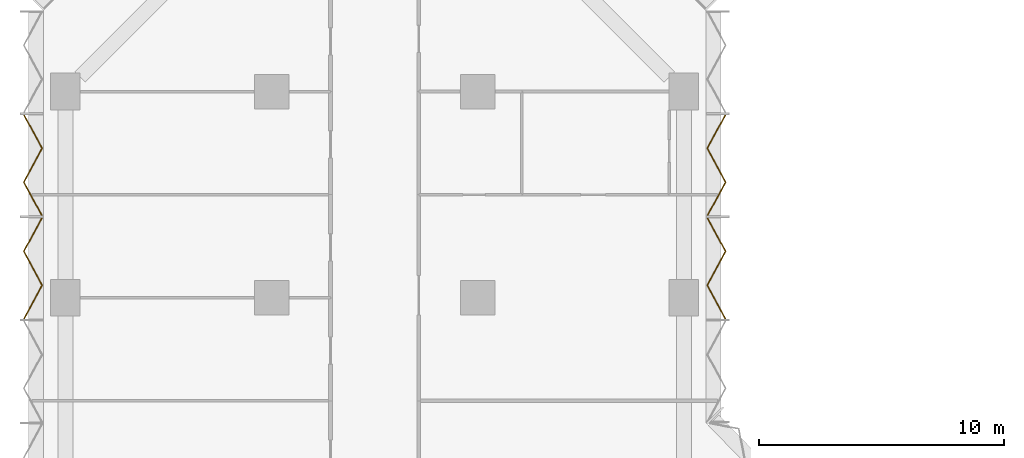
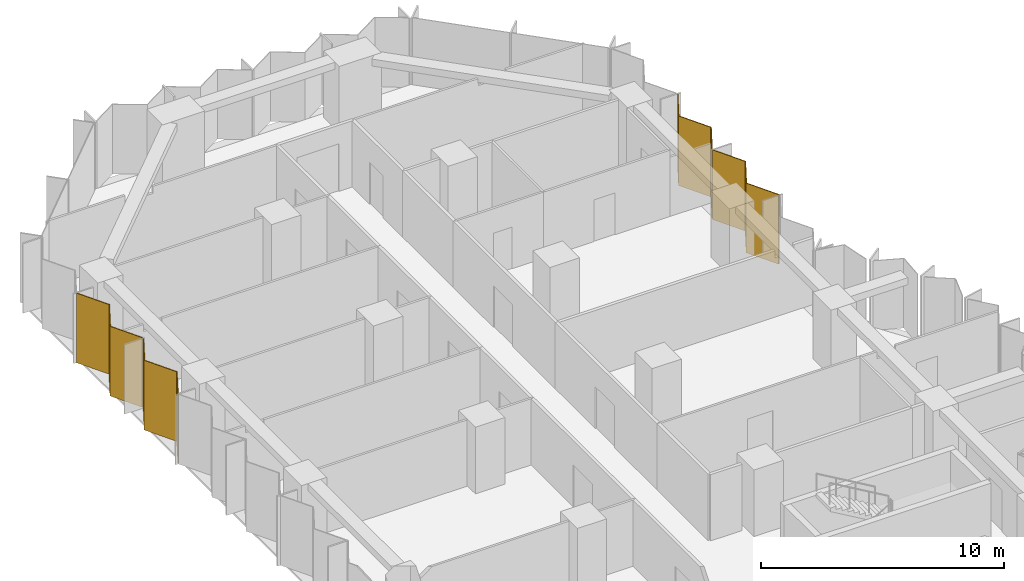
# One storey, part 15 of 15: 4 coverings, 2 elements without a shape of their own.
"""IFC4 building model written with IfcOpenShell, lengths in metres."""

from ifc_helpers import new_model, si_unit, direction, frame, origin, place, context, subcontext, project, spatial, polyline, outline, extrude, material, layer, layer_set, type_object, element, aggregate, save


model = new_model("IFC4")

# Units and contexts
model_context = context("Model", 3, precision=1e-05, world=origin(), true_north=direction((0.0, 1.0)))
body_context = subcontext(model_context, "Body", "Model", "MODEL_VIEW")
ifc_project = project(units=[si_unit("LENGTHUNIT", "METRE"), si_unit("AREAUNIT", "SQUARE_METRE"), si_unit("VOLUMEUNIT", "CUBIC_METRE"), si_unit("PLANEANGLEUNIT", "RADIAN"), si_unit("MASSUNIT", "GRAM", prefix="KILO")], contexts=[model_context])

# Site, building, storey
site_placement = place(None, origin())
site = spatial("IfcSite", under=ifc_project, at=site_placement, CompositionType="ELEMENT")
building_placement = place(site_placement, origin())
building = spatial("IfcBuilding", under=site, at=building_placement, Name="Brevane Broadcast Tower", CompositionType="ELEMENT")
storey_placement = place(building_placement, frame((0.0, 0.0, 68.89990234375)))
storey = spatial("IfcBuildingStorey", under=building, at=storey_placement, Name="L15", CompositionType="ELEMENT", Elevation=68.89990234375)

# Curtain wall, coverings
ifc_material_1 = material(Name="Aluminium 6063-T6 bronze anodised", Category="aluminium")
curtain_wall_type = type_object("IfcCurtainWallType", Name="CW-1 curtain wall", PredefinedType="NOTDEFINED", material=ifc_material_1)
curtain_wall_1_placement = place(storey_placement, origin())
curtain_wall_1 = element("IfcCurtainWall", 1, at=curtain_wall_1_placement, inside=storey, type_object=curtain_wall_type, Name="CW-1 typical tilted unit L15 north arm east face", PredefinedType="NOTDEFINED")
ifc_material_2 = material(Name="Back-painted bronze glass shadow-box", Category="glass")
ifc_layer = layer(ifc_material_2, 0.0400390625)
ifc_layer_set = layer_set([ifc_layer], Name="Shadow-box panel 40")
covering_type = type_object("IfcCoveringType", Name="Shadow-box panel 40", PredefinedType="CLADDING", material=ifc_layer_set)
covering_1_placement = place(storey_placement, frame((0.0, 0.0, -0.14990234375)))
covering_1 = element("IfcCovering", 2, at=covering_1_placement, type_object=covering_type, Name="Shadow-box panel", PredefinedType="CLADDING", context=body_context, shape_type="SweptSolid", body=[
    extrude(outline(polyline([(26.87158203125, 49.534912109375), (26.9169921875, 49.534912109375), (26.172607421875, 50.91162109375), (26.9169921875, 52.288330078125), (26.172607421875, 53.6650390625), (26.127197265625, 53.6650390625), (26.87158203125, 52.288330078125), (26.127197265625, 50.91162109375), (26.87158203125, 49.534912109375)])), origin(), (0.0, 0.0, 1.0), 3.5),
])
covering_2_placement = place(storey_placement, frame((0.0, 0.0, -0.14990234375)))
covering_2 = element("IfcCovering", 3, at=covering_2_placement, type_object=covering_type, Name="Shadow-box panel", PredefinedType="CLADDING", context=body_context, shape_type="SweptSolid", body=[
    extrude(outline(polyline([(26.127197265625, 53.735107421875), (26.172607421875, 53.735107421875), (26.9169921875, 55.11181640625), (26.172607421875, 56.48828125), (26.9169921875, 57.864990234375), (26.87158203125, 57.864990234375), (26.127197265625, 56.48828125), (26.87158203125, 55.11181640625), (26.127197265625, 53.735107421875)])), origin(), (0.0, 0.0, 1.0), 3.5),
])
aggregate(curtain_wall_1, [covering_1, covering_2])

curtain_wall_2_placement = place(storey_placement, origin())
curtain_wall_2 = element("IfcCurtainWall", 4, at=curtain_wall_2_placement, inside=storey, type_object=curtain_wall_type, Name="CW-1 typical tilted unit L15 west face", PredefinedType="NOTDEFINED")
covering_3_placement = place(storey_placement, frame((0.0, 0.0, -0.14990234375)))
covering_3 = element("IfcCovering", 5, at=covering_3_placement, type_object=covering_type, Name="Shadow-box panel", PredefinedType="CLADDING", context=body_context, shape_type="SweptSolid", body=[
    extrude(outline(polyline([(-1.671630859375, 57.864990234375), (-1.717041015625, 57.864990234375), (-0.97265625, 56.48828125), (-1.717041015625, 55.11181640625), (-0.97265625, 53.735107421875), (-0.92724609375, 53.735107421875), (-1.671630859375, 55.11181640625), (-0.92724609375, 56.48828125), (-1.671630859375, 57.864990234375)])), origin(), (0.0, 0.0, 1.0), 3.5),
])
covering_4_placement = place(storey_placement, frame((0.0, 0.0, -0.14990234375)))
covering_4 = element("IfcCovering", 6, at=covering_4_placement, type_object=covering_type, Name="Shadow-box panel", PredefinedType="CLADDING", context=body_context, shape_type="SweptSolid", body=[
    extrude(outline(polyline([(-0.92724609375, 53.6650390625), (-0.97265625, 53.6650390625), (-1.717041015625, 52.288330078125), (-0.97265625, 50.91162109375), (-1.717041015625, 49.534912109375), (-1.671630859375, 49.534912109375), (-0.92724609375, 50.91162109375), (-1.671630859375, 52.288330078125), (-0.92724609375, 53.6650390625)])), origin(), (0.0, 0.0, 1.0), 3.5),
])
aggregate(curtain_wall_2, [covering_3, covering_4])

save(model, "model.ifc")
